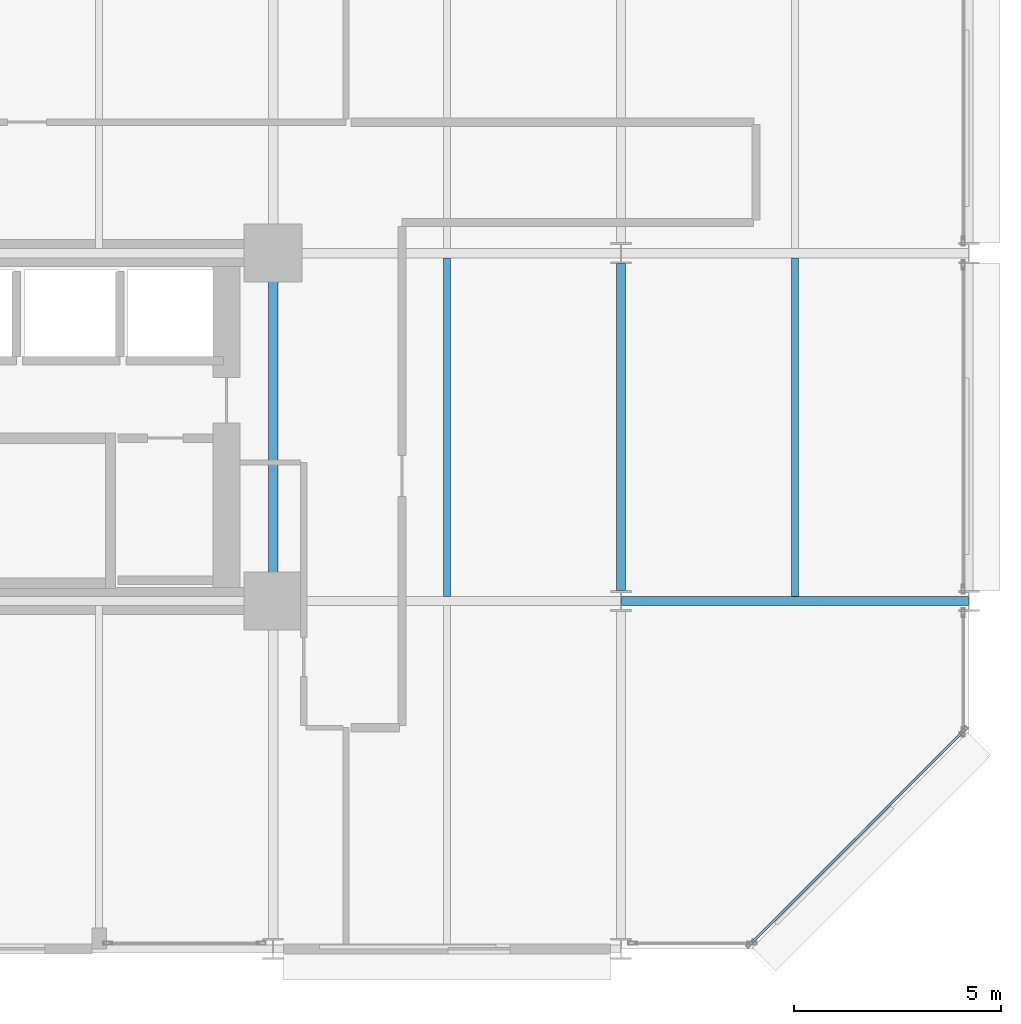
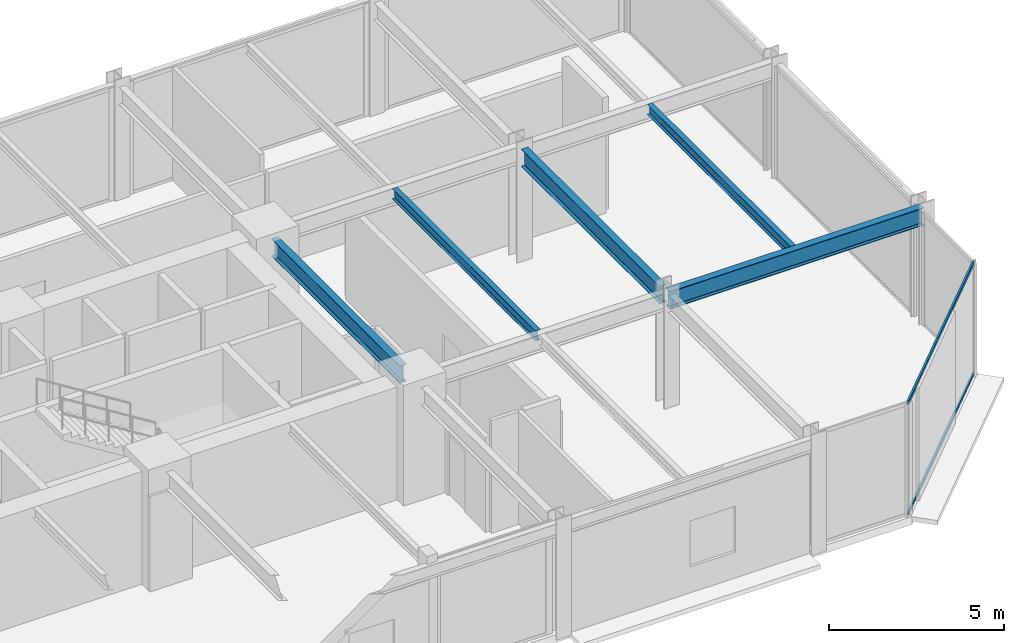
# One storey, part 10 of 25: 5 beams, 2 members, 1 element without a shape of its own.
"""IFC4 building model written with IfcOpenShell, lengths in metres."""

from ifc_helpers import new_model, si_unit, direction, frame, origin, origin_2d, place, context, subcontext, project, spatial, hollow_rectangle, i_section, extrude, material, layer, layer_set, material_profile, profile_set, type_object, element, aggregate, save


model = new_model("IFC4")

# Units and contexts
model_context = context("Model", 3, precision=1e-05, world=origin(), true_north=direction((0.0, 1.0)))
body_context = subcontext(model_context, "Body", "Model", "MODEL_VIEW")
ifc_project = project(units=[si_unit("LENGTHUNIT", "METRE"), si_unit("AREAUNIT", "SQUARE_METRE"), si_unit("VOLUMEUNIT", "CUBIC_METRE"), si_unit("PLANEANGLEUNIT", "RADIAN"), si_unit("MASSUNIT", "GRAM", prefix="KILO")], contexts=[model_context])

# Site, building, storey
site_placement = place(None, origin())
site = spatial("IfcSite", under=ifc_project, at=site_placement, CompositionType="ELEMENT")
building_placement = place(site_placement, origin())
building = spatial("IfcBuilding", under=site, at=building_placement, Name="Nerrivon Quay Data Exchange", CompositionType="ELEMENT")
storey_placement = place(building_placement, frame((0.0, 0.0, 24.800048828125)))
storey = spatial("IfcBuildingStorey", under=building, at=storey_placement, Name="L05", CompositionType="ELEMENT", Elevation=24.800048828125)

# Beams
ifc_material_1 = material(Name="Steel Grade 350", Category="steel")
ifc_material_profile_1 = material_profile(ifc_material_1, i_section(OverallWidth=0.22900390625, OverallDepth=0.612060546875, WebThickness=0.011962890625, FlangeThickness=0.01953125, FilletRadius=0.013916015625, at=origin_2d()), Name="610UB125")
ifc_profile_set_1 = profile_set([ifc_material_profile_1], Name="Steel Grade 350")
beam_type_1 = type_object("IfcBeamType", Name="BM-G1-610UB125", PredefinedType="BEAM", material=ifc_profile_set_1)
beam_1_placement = place(storey_placement, frame((42.013916015625, 8.39990234375, 3.618896484375), z_axis=(1.0, 0.0, 0.0), x_axis=(0.0, 1.0, 0.0)))
element("IfcBeam", 1, at=beam_1_placement, inside=storey, type_object=beam_type_1, Name="L05 EW Girder Y=8.4 (42.0..50.4)", PredefinedType="BEAM", context=body_context, shape_type="SweptSolid", body=[
    extrude(i_section(OverallWidth=0.22900390625, OverallDepth=0.612060546875, WebThickness=0.011962890625, FlangeThickness=0.01953125, FilletRadius=0.013916015625, at=origin_2d()), origin(), (0.0, 0.0, 1.0), 8.3720703125),
])
ifc_material_profile_2 = material_profile(ifc_material_1, i_section(OverallWidth=0.22802734375, OverallDepth=0.60205078125, WebThickness=0.010498046875, FlangeThickness=0.014892578125, FilletRadius=0.013916015625, at=origin_2d()), Name="610UB101")
ifc_profile_set_2 = profile_set([ifc_material_profile_2], Name="Steel Grade 350")
beam_type_2 = type_object("IfcBeamType", Name="BM-G2-610UB101", PredefinedType="BEAM", material=ifc_profile_set_2)
beam_2_placement = place(storey_placement, frame((33.60009765625, 8.93994140625, 3.6240234375), z_axis=(0.0, 1.0, 0.0), x_axis=(-1.0, 0.0, 0.0)))
element("IfcBeam", 2, at=beam_2_placement, inside=storey, type_object=beam_type_2, Name="L05 NS Girder X=33.6 (8.4..16.8)", PredefinedType="BEAM", context=body_context, shape_type="SweptSolid", body=[
    extrude(i_section(OverallWidth=0.22802734375, OverallDepth=0.60205078125, WebThickness=0.010498046875, FlangeThickness=0.014892578125, FilletRadius=0.013916015625, at=origin_2d()), origin(), (0.0, 0.0, 1.0), 7.320068359375),
])
beam_3_placement = place(storey_placement, frame((42.0, 8.64990234375, 3.6240234375), z_axis=(0.0, 1.0, 0.0), x_axis=(-1.0, 0.0, 0.0)))
element("IfcBeam", 3, at=beam_3_placement, inside=storey, type_object=beam_type_2, Name="L05 NS Girder X=42.0 (8.4..16.8)", PredefinedType="BEAM", context=body_context, shape_type="SweptSolid", body=[
    extrude(i_section(OverallWidth=0.22802734375, OverallDepth=0.60205078125, WebThickness=0.010498046875, FlangeThickness=0.014892578125, FilletRadius=0.013916015625, at=origin_2d()), origin(), (0.0, 0.0, 1.0), 7.900146484375),
])
ifc_material_profile_3 = material_profile(ifc_material_1, i_section(OverallWidth=0.172119140625, OverallDepth=0.35888671875, WebThickness=0.008056640625, FlangeThickness=0.012939453125, FilletRadius=0.011474609375, at=origin_2d()), Name="360UB56.7")
ifc_profile_set_3 = profile_set([ifc_material_profile_3], Name="Steel Grade 350")
beam_type_3 = type_object("IfcBeamType", Name="BM-J3-360UB57", PredefinedType="JOIST", material=ifc_profile_set_3)
for number, where, z_axis, x_axis, name in (
    (4, (37.800048828125, 8.514404296875, 3.745361328125), (0.0, 1.0, 0.0), (-1.0, 0.0, 0.0), "L05 Secondary Joist X=37.8 (8.4..16.8)"),
    (5, (46.199951171875, 8.514404296875, 3.745361328125), (0.0, 1.0, 0.0), (-1.0, 0.0, 0.0), "L05 Secondary Joist X=46.2 (8.4..16.8)"),
):
    element("IfcBeam", number, at=place(storey_placement, frame(where, z_axis=z_axis, x_axis=x_axis)), inside=storey, type_object=beam_type_3, Name=name, PredefinedType="JOIST", context=body_context, shape_type="SweptSolid", body=[
        extrude(i_section(OverallWidth=0.172119140625, OverallDepth=0.35888671875, WebThickness=0.008056640625, FlangeThickness=0.012939453125, FilletRadius=0.011474609375, at=origin_2d()), origin(), (0.0, 0.0, 1.0), 8.171142578125),
    ])

# Curtain wall, members
ifc_material_2 = material(Name="Anodised aluminium 6063-T6", Category="aluminium")
ifc_layer = layer(ifc_material_2, 0.219970703125)
ifc_layer_set = layer_set([ifc_layer], Name="Anodised aluminium 6063-T6")
curtain_wall_type = type_object("IfcCurtainWallType", Name="CW-SYS-01", PredefinedType="NOTDEFINED", material=ifc_layer_set)
curtain_wall_placement = place(storey_placement, origin())
curtain_wall = element("IfcCurtainWall", 6, at=curtain_wall_placement, inside=storey, type_object=curtain_wall_type, Name="L05 Unitised Curtain Wall 1", PredefinedType="NOTDEFINED")
ifc_material_profile_4 = material_profile(ifc_material_2, hollow_rectangle(XDim=0.06005859375, YDim=0.1201171875, WallThickness=0.003173828125, at=origin_2d()), Name="ALU-TRAN-120x60")
ifc_profile_set_4 = profile_set([ifc_material_profile_4], Name="Anodised aluminium 6063-T6")
member_type = type_object("IfcMemberType", Name="CWT-120x60", PredefinedType="USERDEFINED", material=ifc_profile_set_4)
member_1_placement = place(storey_placement, frame((50.248046875, 5.245849609375, 0.032470703125), z_axis=(-0.707123726196, -0.707089835771, 0.0), x_axis=(0.707089835771, -0.707123726196, 0.0)))
member_1 = element("IfcMember", 7, at=member_1_placement, type_object=member_type, Name="CW01 transom 1.1", ObjectType="TRANSOM", PredefinedType="USERDEFINED", context=body_context, shape_type="SweptSolid", body=[
    extrude(hollow_rectangle(XDim=0.06005859375, YDim=0.1201171875, WallThickness=0.003173828125, at=origin_2d()), origin(), (0.0, 0.0, 1.0), 7.203857421875),
])
member_2_placement = place(storey_placement, frame((50.248046875, 5.245849609375, 3.892333984375), z_axis=(-0.707123726196, -0.707089835771, 0.0), x_axis=(0.707089835771, -0.707123726196, 0.0)))
member_2 = element("IfcMember", 8, at=member_2_placement, type_object=member_type, Name="CW01 transom 1.2", ObjectType="TRANSOM", PredefinedType="USERDEFINED", context=body_context, shape_type="SweptSolid", body=[
    extrude(hollow_rectangle(XDim=0.06005859375, YDim=0.1201171875, WallThickness=0.003173828125, at=origin_2d()), origin(), (0.0, 0.0, 1.0), 7.203857421875),
])
aggregate(curtain_wall, [member_1, member_2])

save(model, "model.ifc")
